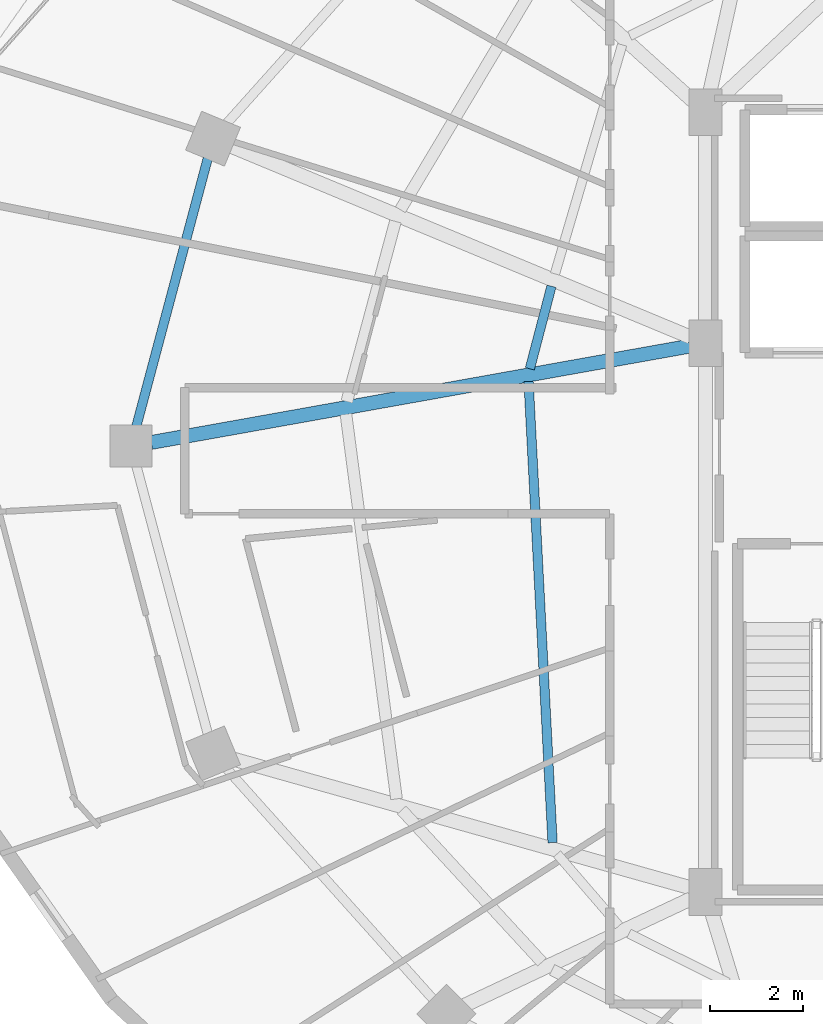
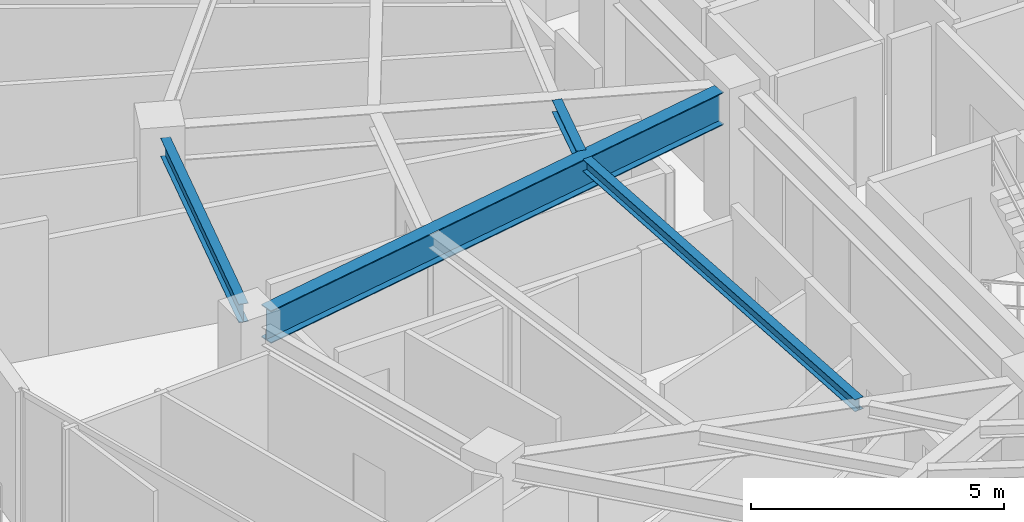
# One storey, part 8 of 34: 4 beams.
"""IFC4 building model written with IfcOpenShell, lengths in metres."""

from ifc_helpers import new_model, si_unit, direction, frame, origin, origin_2d, place, context, subcontext, project, spatial, i_section, extrude, material, material_profile, profile_set, type_object, element, save


model = new_model("IFC4")

# Units and contexts
model_context = context("Model", 3, precision=1e-05, world=origin(), true_north=direction((0.0, 1.0)))
body_context = subcontext(model_context, "Body", "Model", "MODEL_VIEW")
ifc_project = project(units=[si_unit("LENGTHUNIT", "METRE"), si_unit("AREAUNIT", "SQUARE_METRE"), si_unit("VOLUMEUNIT", "CUBIC_METRE"), si_unit("PLANEANGLEUNIT", "RADIAN"), si_unit("MASSUNIT", "GRAM", prefix="KILO")], contexts=[model_context])

# Site, building, storey
site_placement = place(None, origin())
site = spatial("IfcSite", under=ifc_project, at=site_placement, CompositionType="ELEMENT")
building_placement = place(site_placement, origin())
building = spatial("IfcBuilding", under=site, at=building_placement, Name="Vorneva Point Tower", CompositionType="ELEMENT")
storey_placement = place(building_placement, frame((0.0, 0.0, 210.75)))
storey = spatial("IfcBuildingStorey", under=building, at=storey_placement, Name="L57", CompositionType="ELEMENT", Elevation=210.75)

# Beams
ifc_material = material(Name="Steel S355", Category="steel")
ifc_material_profile_1 = material_profile(ifc_material, i_section(OverallWidth=0.300048828125, OverallDepth=0.7880859375, WebThickness=0.014404296875, FlangeThickness=0.02197265625, at=origin_2d()), Name="80Sh1")
ifc_profile_set_1 = profile_set([ifc_material_profile_1], Name="Steel S355")
beam_type_1 = type_object("IfcBeamType", Name="BM-GRD-80Sh1", PredefinedType="USERDEFINED", material=ifc_profile_set_1)
beam_1_placement = place(storey_placement, frame((15.381103515625, 26.0771484375, 2.89599609375), z_axis=(0.984378602255, 0.176064668298, 0.0), x_axis=(-0.176064668298, 0.984378602255, 0.0)))
element("IfcBeam", 1, at=beam_1_placement, inside=storey, type_object=beam_type_1, Name="L57 Radial Primary Girder 09", ObjectType="GIRDER", PredefinedType="USERDEFINED", context=body_context, shape_type="SweptSolid", body=[
    extrude(i_section(OverallWidth=0.300048828125, OverallDepth=0.7880859375, WebThickness=0.014404296875, FlangeThickness=0.02197265625, at=origin_2d()), origin(), (0.0, 0.0, 1.0), 11.71728515625),
])
ifc_material_profile_2 = material_profile(ifc_material, i_section(OverallWidth=0.199951171875, OverallDepth=0.291015625, WebThickness=0.008056640625, FlangeThickness=0.010986328125, at=origin_2d()), Name="30Sh1")
ifc_profile_set_2 = profile_set([ifc_material_profile_2], Name="Steel S355")
beam_type_2 = type_object("IfcBeamType", Name="BM-SEC-30Sh1", PredefinedType="BEAM", material=ifc_profile_set_2)
beam_2_placement = place(storey_placement, frame((23.952880859375, 29.422119140625, 3.14453125), z_axis=(-0.25336832433, -0.967369883874, 0.0), x_axis=(0.967369883874, -0.25336832433, 0.0)))
element("IfcBeam", 2, at=beam_2_placement, inside=storey, type_object=beam_type_2, Name="L57 Secondary Floor Beam 2.08", PredefinedType="BEAM", context=body_context, shape_type="SweptSolid", body=[
    extrude(i_section(OverallWidth=0.199951171875, OverallDepth=0.291015625, WebThickness=0.008056640625, FlangeThickness=0.010986328125, at=origin_2d()), origin(), (0.0, 0.0, 1.0), 1.826904296875),
])
beam_3_placement = place(storey_placement, frame((23.462158203125, 27.38330078125, 3.14453125), z_axis=(0.052014629383, -0.998646322944, 0.0), x_axis=(0.998646322944, 0.052014629383, 0.0)))
element("IfcBeam", 3, at=beam_3_placement, inside=storey, type_object=beam_type_2, Name="L57 Secondary Floor Beam 2.09", PredefinedType="BEAM", context=body_context, shape_type="SweptSolid", body=[
    extrude(i_section(OverallWidth=0.199951171875, OverallDepth=0.291015625, WebThickness=0.008056640625, FlangeThickness=0.010986328125, at=origin_2d()), origin(), (0.0, 0.0, 1.0), 9.8896484375),
])
ifc_material_profile_3 = material_profile(ifc_material, i_section(OverallWidth=0.198974609375, OverallDepth=0.446044921875, WebThickness=0.008056640625, FlangeThickness=0.011962890625, at=origin_2d()), Name="45B1")
ifc_profile_set_3 = profile_set([ifc_material_profile_3], Name="Steel S355")
beam_type_3 = type_object("IfcBeamType", Name="BM-SPN-45B1", PredefinedType="SPANDREL", material=ifc_profile_set_3)
beam_4_placement = place(storey_placement, frame((16.592529296875, 32.161865234375, 3.06689453125), z_axis=(-0.257578258003, -0.966257440336, 0.0), x_axis=(0.966257440336, -0.257578258003, 0.0)))
element("IfcBeam", 4, at=beam_4_placement, inside=storey, type_object=beam_type_3, Name="L57 Perimeter Spandrel Ring Beam 08", PredefinedType="SPANDREL", context=body_context, shape_type="SweptSolid", body=[
    extrude(i_section(OverallWidth=0.198974609375, OverallDepth=0.446044921875, WebThickness=0.008056640625, FlangeThickness=0.011962890625, at=origin_2d()), origin(), (0.0, 0.0, 1.0), 5.94189453125),
])

save(model, "model.ifc")
